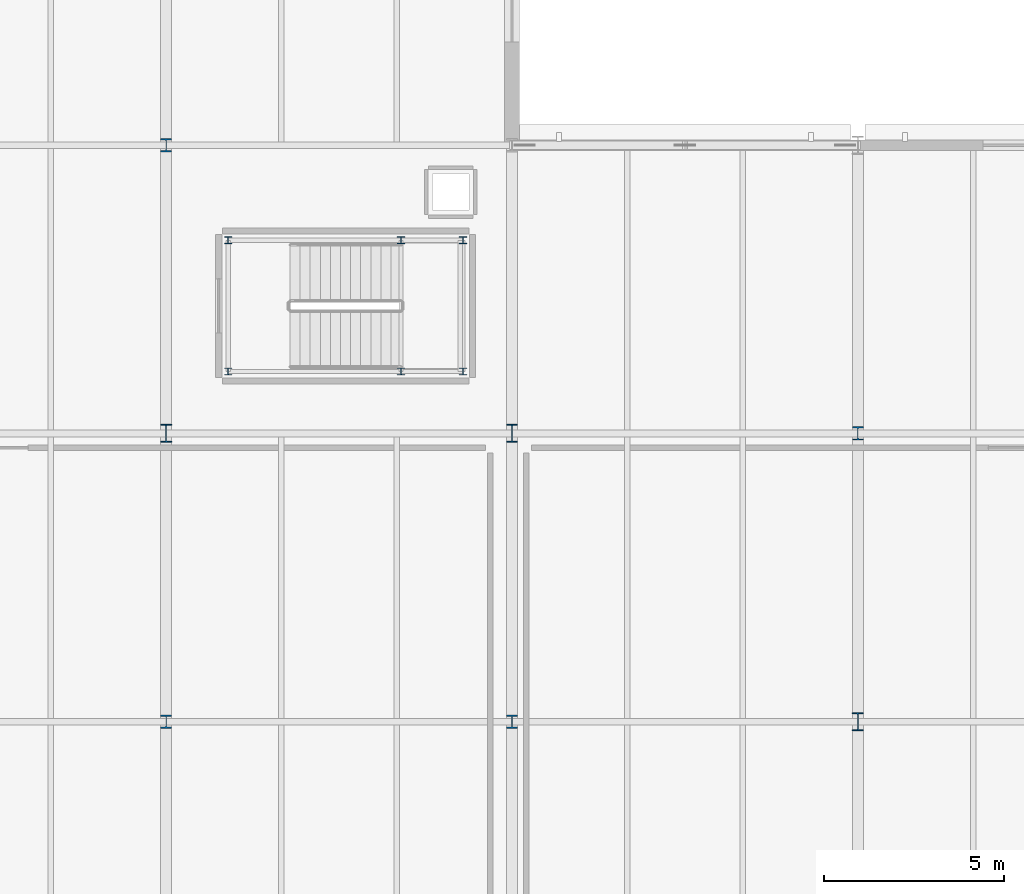
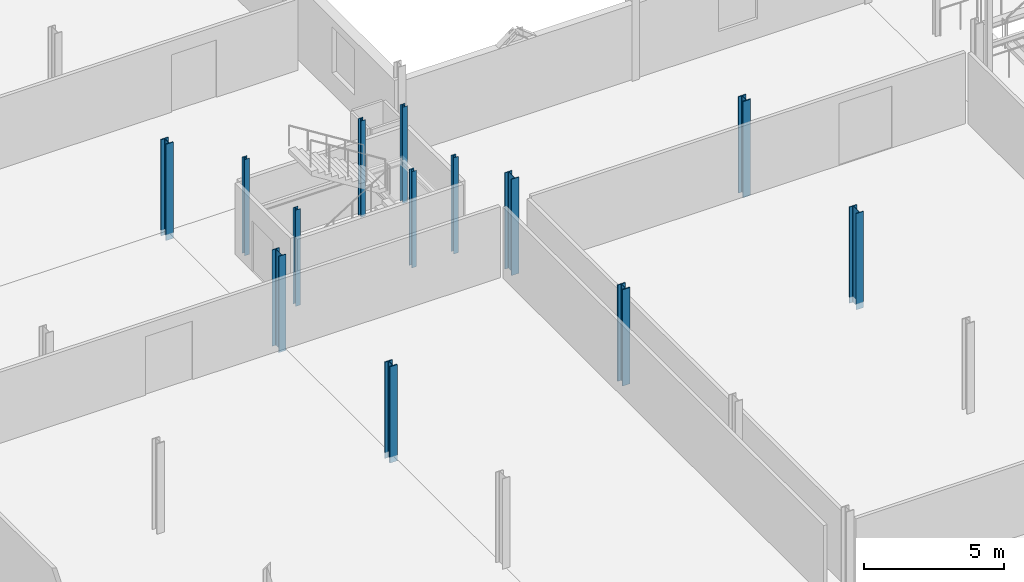
# One storey, part 15 of 78: 13 columns.
"""IFC4 building model written with IfcOpenShell, lengths in metres."""

from ifc_helpers import new_model, si_unit, direction, frame, origin, origin_2d, place, context, subcontext, project, spatial, i_section, extrude, material, material_profile, profile_set, type_object, element, save


model = new_model("IFC4")

# Units and contexts
model_context = context("Model", 3, precision=1e-05, world=origin(), true_north=direction((0.0, 1.0)))
body_context = subcontext(model_context, "Body", "Model", "MODEL_VIEW")
ifc_project = project(units=[si_unit("LENGTHUNIT", "METRE"), si_unit("AREAUNIT", "SQUARE_METRE"), si_unit("VOLUMEUNIT", "CUBIC_METRE"), si_unit("PLANEANGLEUNIT", "RADIAN"), si_unit("MASSUNIT", "GRAM", prefix="KILO")], contexts=[model_context])

# Site, building, storey
site_placement = place(None, origin())
site = spatial("IfcSite", under=ifc_project, at=site_placement, CompositionType="ELEMENT")
building_placement = place(site_placement, origin())
building = spatial("IfcBuilding", under=site, at=building_placement, Name="Alderhovde Museum", CompositionType="ELEMENT")
storey_placement = place(building_placement, frame((0.0, 0.0, 4.5)))
storey = spatial("IfcBuildingStorey", under=building, at=storey_placement, Name="L01", CompositionType="ELEMENT", Elevation=4.5)

# Columns
ifc_material_1 = material(Name="Steel S355J2", Category="steel")
ifc_material_profile_1 = material_profile(ifc_material_1, i_section(OverallWidth=0.199951171875, OverallDepth=0.18994140625, WebThickness=0.006591796875, FlangeThickness=0.010009765625, FilletRadius=0.01806640625, at=origin_2d()), Name="HEA 200")
ifc_profile_set_1 = profile_set([ifc_material_profile_1], Name="Steel S355J2")
column_type_1 = type_object("IfcColumnType", Name="COL-HEA200", PredefinedType="COLUMN", material=ifc_profile_set_1)
for number, where, z_axis, x_axis, name in (
    (1, (49.719970703125, 73.719970703125, 0.0), (0.0, 0.0, 1.0), (1.0, 0.0, 0.0), "L01 Stair ST6 Shaft Column 1"),
    (2, (56.239990234375, 73.719970703125, 0.0), (0.0, 0.0, 1.0), (1.0, 0.0, 0.0), "L01 Stair ST6 Shaft Column 2"),
    (3, (56.239990234375, 77.360107421875, 0.0), (0.0, 0.0, 1.0), (1.0, 0.0, 0.0), "L01 Stair ST6 Shaft Column 3"),
    (4, (49.719970703125, 77.360107421875, 0.0), (0.0, 0.0, 1.0), (1.0, 0.0, 0.0), "L01 Stair ST6 Shaft Column 4"),
    (5, (54.52001953125, 73.719970703125, 0.0), (0.0, 0.0, 1.0), (1.0, 0.0, 0.0), "L01 Stair ST6 Shaft Column 5"),
    (6, (54.52001953125, 77.360107421875, 0.0), (0.0, 0.0, 1.0), (1.0, 0.0, 0.0), "L01 Stair ST6 Shaft Column 6"),
):
    element("IfcColumn", number, at=place(storey_placement, frame(where, z_axis=z_axis, x_axis=x_axis)), inside=storey, type_object=column_type_1, Name=name, PredefinedType="COLUMN", context=body_context, shape_type="SweptSolid", body=[
        extrude(i_section(OverallWidth=0.199951171875, OverallDepth=0.18994140625, WebThickness=0.006591796875, FlangeThickness=0.010009765625, FilletRadius=0.01806640625, at=origin_2d()), origin(), (0.0, 0.0, 1.0), 4.199951171875),
    ])
ifc_material_2 = material(Name="Steel S355J2", Category="steel")
ifc_material_profile_2 = material_profile(ifc_material_2, i_section(OverallWidth=0.300048828125, OverallDepth=0.5, WebThickness=0.014404296875, FlangeThickness=0.028076171875, FilletRadius=0.027099609375, at=origin_2d()), Name="HEB 500")
ifc_profile_set_2 = profile_set([ifc_material_profile_2], Name="Steel S355J2")
column_type_2 = type_object("IfcColumnType", Name="COL-HEB500", PredefinedType="COLUMN", material=ifc_profile_set_2)
for number, where, z_axis, x_axis, name in (
    (7, (48.0, 72.0, -0.260009765625), (0.0, 0.0, 1.0), (1.0, 0.0, 0.0), "L01 Column (48.0, 72.0)"),
    (8, (57.60009765625, 72.0, -0.260009765625), (0.0, 0.0, 1.0), (1.0, 0.0, 0.0), "L01 Column (57.6, 72.0)"),
    (9, (67.199951171875, 64.0, -0.260009765625), (0.0, 0.0, 1.0), (1.0, 0.0, 0.0), "L01 Column (67.2, 64.0)"),
):
    element("IfcColumn", number, at=place(storey_placement, frame(where, z_axis=z_axis, x_axis=x_axis)), inside=storey, type_object=column_type_2, Name=name, PredefinedType="COLUMN", context=body_context, shape_type="SweptSolid", body=[
        extrude(i_section(OverallWidth=0.300048828125, OverallDepth=0.5, WebThickness=0.014404296875, FlangeThickness=0.028076171875, FilletRadius=0.027099609375, at=origin_2d()), origin(), (0.0, 0.0, 1.0), 4.199951171875),
    ])
ifc_material_3 = material(Name="Steel S355J2", Category="steel")
ifc_material_profile_3 = material_profile(ifc_material_3, i_section(OverallWidth=0.30908203125, OverallDepth=0.376953125, WebThickness=0.02099609375, FlangeThickness=0.0400390625, FilletRadius=0.027099609375, at=origin_2d()), Name="HEM 340")
ifc_profile_set_3 = profile_set([ifc_material_profile_3], Name="Steel S355J2")
column_type_3 = type_object("IfcColumnType", Name="COL-HEM340", PredefinedType="COLUMN", material=ifc_profile_set_3)
for number, where, z_axis, x_axis, name in (
    (10, (48.0, 64.0, -0.260009765625), (0.0, 0.0, 1.0), (1.0, 0.0, 0.0), "L01 Column (48.0, 64.0)"),
    (11, (48.0, 80.0, -0.260009765625), (0.0, 0.0, 1.0), (1.0, 0.0, 0.0), "L01 Column (48.0, 80.0)"),
    (12, (57.60009765625, 64.0, -0.260009765625), (0.0, 0.0, 1.0), (1.0, 0.0, 0.0), "L01 Column (57.6, 64.0)"),
    (13, (67.199951171875, 72.0, -0.260009765625), (0.0, 0.0, 1.0), (1.0, 0.0, 0.0), "L01 Column (67.2, 72.0)"),
):
    element("IfcColumn", number, at=place(storey_placement, frame(where, z_axis=z_axis, x_axis=x_axis)), inside=storey, type_object=column_type_3, Name=name, PredefinedType="COLUMN", context=body_context, shape_type="SweptSolid", body=[
        extrude(i_section(OverallWidth=0.30908203125, OverallDepth=0.376953125, WebThickness=0.02099609375, FlangeThickness=0.0400390625, FilletRadius=0.027099609375, at=origin_2d()), origin(), (0.0, 0.0, 1.0), 4.199951171875),
    ])

save(model, "model.ifc")
